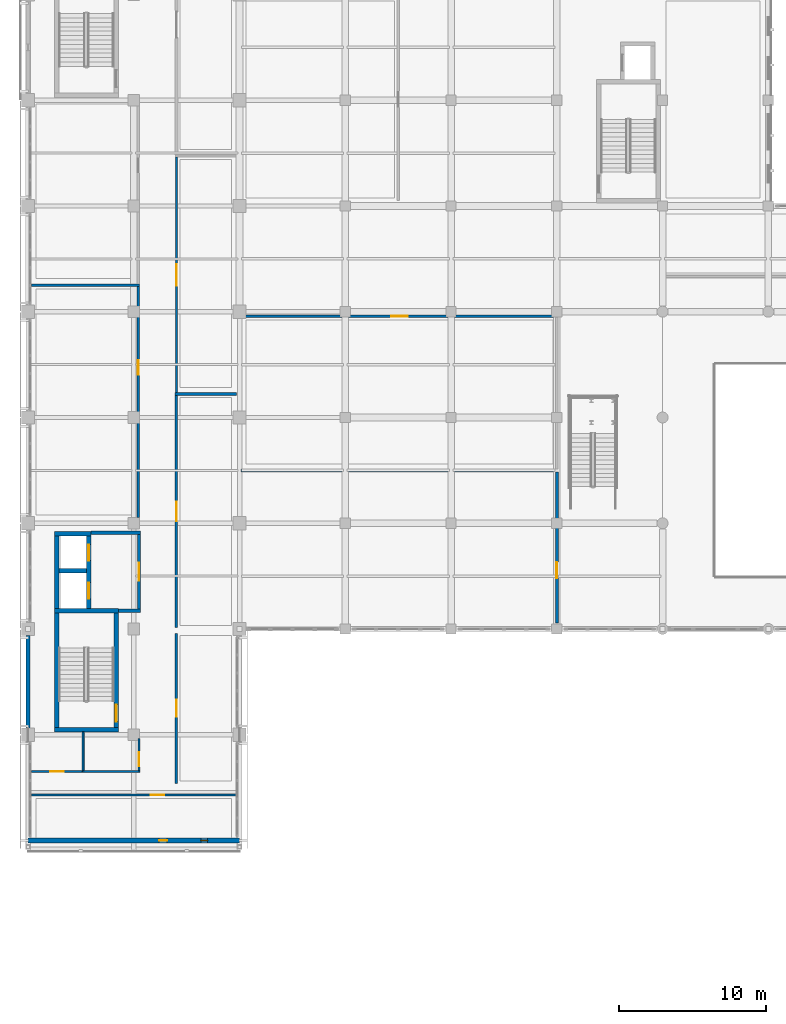
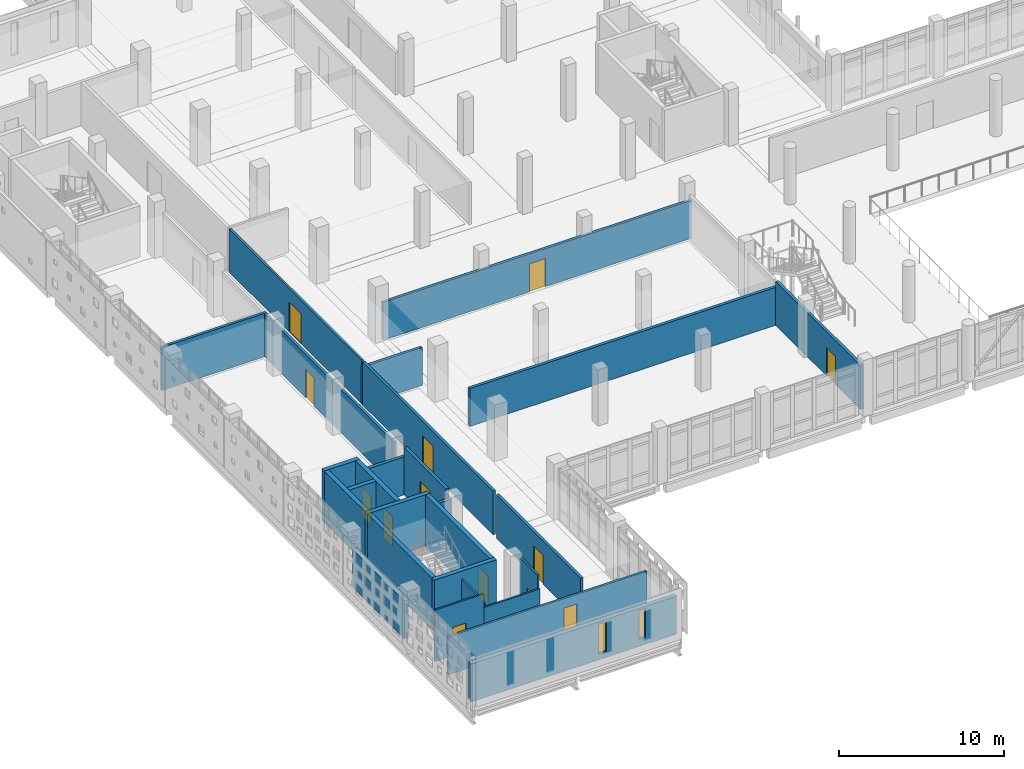
# One storey, part 32 of 57: 27 walls, 13 doors, 2 windows, 15 openings.
"""IFC4 building model written with IfcOpenShell, lengths in metres."""

from ifc_helpers import new_model, si_unit, direction, frame, frame_2d, origin, place, context, subcontext, project, spatial, rectangle, extrude, material, layer, layer_set, type_object, element, fill, save


model = new_model("IFC4")

# Units and contexts
model_context = context("Model", 3, precision=1e-05, world=origin(), true_north=direction((0.0, 1.0)))
body_context = subcontext(model_context, "Body", "Model", "MODEL_VIEW")
ifc_project = project(units=[si_unit("LENGTHUNIT", "METRE"), si_unit("AREAUNIT", "SQUARE_METRE"), si_unit("VOLUMEUNIT", "CUBIC_METRE"), si_unit("PLANEANGLEUNIT", "RADIAN"), si_unit("MASSUNIT", "GRAM", prefix="KILO")], contexts=[model_context])

# Site, building, storey
site_placement = place(None, origin())
site = spatial("IfcSite", under=ifc_project, at=site_placement, CompositionType="ELEMENT")
building_placement = place(site_placement, origin())
building = spatial("IfcBuilding", under=site, at=building_placement, Name="Valkovuoma Quantum and Materials Research Institute", CompositionType="ELEMENT")
storey_placement = place(building_placement, frame((0.0, 0.0, 4.800048828125)))
storey = spatial("IfcBuildingStorey", under=building, at=storey_placement, Name="L01", CompositionType="ELEMENT", Elevation=4.800048828125)

# Walls
ifc_material_1 = material(Name="Concrete C40/50", Category="concrete")
ifc_layer_1 = layer(ifc_material_1, 0.300048828125)
ifc_layer_set_1 = layer_set([ifc_layer_1], Name="Concrete C40/50")
wall_type_1 = type_object("IfcWallType", Name="Wall-W-COR300", PredefinedType="SHEAR", material=ifc_layer_set_1)
for number, where, z_axis, x_axis, name in (
    (1, (1.800048828125, 29.14990234375, 0.0), (0.0, 0.0, 1.0), (1.0, 0.0, 0.0), "L01 core wall 0023"),
    (2, (1.800048828125, 37.25, 0.0), (0.0, 0.0, 1.0), (1.0, 0.0, 0.0), "L01 core wall 0024"),
):
    element("IfcWall", number, at=place(storey_placement, frame(where, z_axis=z_axis, x_axis=x_axis)), inside=storey, type_object=wall_type_1, Name=name, PredefinedType="SHEAR", context=body_context, shape_type="SweptSolid", body=[
        extrude(rectangle(XDim=4.349853515625, YDim=0.300048828125, at=frame_2d((2.1748046875, 0.0))), origin(), (0.0, 0.0, 1.0), 3.81005859375),
    ])
wall_1_placement = place(storey_placement, frame((1.949951171875, 29.300048828125, 0.0), z_axis=(0.0, 0.0, 1.0), x_axis=(0.0, 1.0, 0.0)))
element("IfcWall", 3, at=wall_1_placement, inside=storey, type_object=wall_type_1, Name="L01 core wall 0025", PredefinedType="SHEAR", context=body_context, shape_type="SweptSolid", body=[
    extrude(rectangle(XDim=7.800048828125, YDim=0.300048828125, at=frame_2d((3.89990234375, 0.0))), origin(), (0.0, 0.0, 1.0), 3.81005859375),
])

# Wall, opening, door
wall_2_placement = place(storey_placement, frame((6.0, 29.300048828125, 0.0), z_axis=(0.0, 0.0, 1.0), x_axis=(0.0, 1.0, 0.0)))
wall_2 = element("IfcWall", 4, at=wall_2_placement, inside=storey, type_object=wall_type_1, Name="L01 core wall 0026", PredefinedType="SHEAR", context=body_context, shape_type="SweptSolid", body=[
    extrude(rectangle(XDim=7.800048828125, YDim=0.300048828125, at=frame_2d((3.89990234375, 0.0))), origin(), (0.0, 0.0, 1.0), 3.81005859375),
])
opening_1_placement = place(wall_2_placement, frame((0.39990234375, 0.0, 0.0)))
opening_1 = element("IfcOpeningElement", 5, at=opening_1_placement, cuts=wall_2, Name="Opening SD-005", PredefinedType="OPENING", context=body_context, shape_type="SweptSolid", body=[
    extrude(rectangle(XDim=1.14990234375, YDim=2.199951171875, at=frame_2d((0.574951171875, 1.10009765625))), frame((0.0, 0.16015625, 0.0), z_axis=(0.0, -1.0, 0.0), x_axis=(1.0, 0.0, 0.0)), (0.0, 0.0, 1.0), 0.320068359375),
])
ifc_material_2 = material(Name="Powder-coated steel and acoustic timber door assembly", Category="steel")
door_type_1 = type_object("IfcDoorType", Name="Door-DR-ST60", OperationType="NOTDEFINED", PredefinedType="DOOR", material=ifc_material_2)
door_1_placement = place(opening_1_placement, origin())
door_1 = element("IfcDoor", 6, at=door_1_placement, inside=storey, type_object=door_type_1, Name="L01 ST-1 fire door", OperationType="SINGLE_SWING_RIGHT", OverallHeight=2.199951171875, OverallWidth=1.14990234375, PredefinedType="DOOR", context=body_context, shape_type="SweptSolid", body=[
    extrude(rectangle(XDim=1.14990234375, YDim=2.199951171875, at=frame_2d((0.574951171875, 1.10009765625))), frame((0.0, 0.02490234375, 0.0), z_axis=(0.0, -1.0, 0.0), x_axis=(1.0, 0.0, 0.0)), (0.0, 0.0, 1.0), 0.050048828125),
])
fill(opening_1, door_1)

# Walls
wall_3_placement = place(storey_placement, frame((1.800048828125, 42.47998046875, 0.0), z_axis=(0.0, 0.0, 1.0), x_axis=(1.0, 0.0, 0.0)))
element("IfcWall", 7, at=wall_3_placement, inside=storey, type_object=wall_type_1, Name="L01 core wall 0027", PredefinedType="SHEAR", context=body_context, shape_type="SweptSolid", body=[
    extrude(rectangle(XDim=2.47998046875, YDim=0.300048828125, at=frame_2d((1.239990234375, 0.0))), origin(), (0.0, 0.0, 1.0), 3.81005859375),
])
wall_4_placement = place(storey_placement, frame((2.10009765625, 39.97509765625, 0.0), z_axis=(0.0, 0.0, 1.0), x_axis=(1.0, 0.0, 0.0)))
element("IfcWall", 8, at=wall_4_placement, inside=storey, type_object=wall_type_1, Name="L01 core wall 0028", PredefinedType="SHEAR", context=body_context, shape_type="SweptSolid", body=[
    extrude(rectangle(XDim=1.8798828125, YDim=0.300048828125, at=frame_2d((0.93994140625, 0.0))), origin(), (0.0, 0.0, 1.0), 3.81005859375),
])
wall_5_placement = place(storey_placement, frame((1.949951171875, 37.39990234375, 0.0), z_axis=(0.0, 0.0, 1.0), x_axis=(0.0, 1.0, 0.0)))
element("IfcWall", 9, at=wall_5_placement, inside=storey, type_object=wall_type_1, Name="L01 core wall 0029", PredefinedType="SHEAR", context=body_context, shape_type="SweptSolid", body=[
    extrude(rectangle(XDim=4.93017578125, YDim=0.300048828125, at=frame_2d((2.465087890625, 0.0))), origin(), (0.0, 0.0, 1.0), 3.81005859375),
])

# Wall, openings, doors
wall_6_placement = place(storey_placement, frame((4.1298828125, 37.39990234375, 0.0), z_axis=(0.0, 0.0, 1.0), x_axis=(0.0, 1.0, 0.0)))
wall_6 = element("IfcWall", 10, at=wall_6_placement, inside=storey, type_object=wall_type_1, Name="L01 core wall 0030", PredefinedType="SHEAR", context=body_context, shape_type="SweptSolid", body=[
    extrude(rectangle(XDim=4.93017578125, YDim=0.300048828125, at=frame_2d((2.465087890625, 0.0))), origin(), (0.0, 0.0, 1.0), 3.81005859375),
])
opening_2_placement = place(wall_6_placement, frame((0.64990234375, 0.0, 0.0)))
opening_2 = element("IfcOpeningElement", 11, at=opening_2_placement, cuts=wall_6, Name="Opening LD-005", PredefinedType="OPENING", context=body_context, shape_type="SweptSolid", body=[
    extrude(rectangle(XDim=1.10009765625, YDim=2.199951171875, at=frame_2d((0.550048828125, 1.10009765625))), frame((0.0, 0.16015625, 0.0), z_axis=(0.0, -1.0, 0.0), x_axis=(1.0, 0.0, 0.0)), (0.0, 0.0, 1.0), 0.320068359375),
])
opening_3_placement = place(wall_6_placement, frame((3.25, 0.0, 0.0)))
opening_3 = element("IfcOpeningElement", 12, at=opening_3_placement, cuts=wall_6, Name="Opening LD-006", PredefinedType="OPENING", context=body_context, shape_type="SweptSolid", body=[
    extrude(rectangle(XDim=1.10009765625, YDim=2.199951171875, at=frame_2d((0.550048828125, 1.10009765625))), frame((0.0, 0.16015625, 0.0), z_axis=(0.0, -1.0, 0.0), x_axis=(1.0, 0.0, 0.0)), (0.0, 0.0, 1.0), 0.320068359375),
])
ifc_material_3 = material(Name="Powder-coated steel and acoustic timber door assembly", Category="steel")
door_type_2 = type_object("IfcDoorType", Name="Door-DR-LD01", OperationType="NOTDEFINED", PredefinedType="DOOR", material=ifc_material_3)
door_2_placement = place(opening_2_placement, origin())
door_2 = element("IfcDoor", 13, at=door_2_placement, inside=storey, type_object=door_type_2, Name="L01 LIFT-FF1 sliding landing door", OperationType="SLIDING_TO_LEFT", OverallHeight=2.199951171875, OverallWidth=1.10009765625, PredefinedType="DOOR", context=body_context, shape_type="SweptSolid", body=[
    extrude(rectangle(XDim=1.10009765625, YDim=2.199951171875, at=frame_2d((0.550048828125, 1.10009765625))), frame((0.0, 0.02490234375, 0.0), z_axis=(0.0, -1.0, 0.0), x_axis=(1.0, 0.0, 0.0)), (0.0, 0.0, 1.0), 0.050048828125),
])
fill(opening_2, door_2)
door_3_placement = place(opening_3_placement, origin())
door_3 = element("IfcDoor", 14, at=door_3_placement, inside=storey, type_object=door_type_2, Name="L01 LIFT-P1 sliding landing door", OperationType="SLIDING_TO_LEFT", OverallHeight=2.199951171875, OverallWidth=1.10009765625, PredefinedType="DOOR", context=body_context, shape_type="SweptSolid", body=[
    extrude(rectangle(XDim=1.10009765625, YDim=2.199951171875, at=frame_2d((0.550048828125, 1.10009765625))), frame((0.0, 0.02490234375, 0.0), z_axis=(0.0, -1.0, 0.0), x_axis=(1.0, 0.0, 0.0)), (0.0, 0.0, 1.0), 0.050048828125),
])
fill(opening_3, door_3)

# Wall
ifc_material_4 = material(Name="Precast concrete C40/50", Category="concrete")
ifc_layer_2 = layer(ifc_material_4, 0.300048828125)
ifc_layer_set_2 = layer_set([ifc_layer_2], Name="Precast concrete C40/50")
wall_type_2 = type_object("IfcWallType", Name="Wall-W-EXT300", PredefinedType="SOLIDWALL", material=ifc_layer_set_2)
wall_7_placement = place(storey_placement, frame((0.0, 29.239990234375, 0.0), z_axis=(0.0, 0.0, 1.0), x_axis=(0.0, 1.0, 0.0)))
element("IfcWall", 15, at=wall_7_placement, inside=storey, type_object=wall_type_2, Name="L01 exterior wall 0034", PredefinedType="SOLIDWALL", context=body_context, shape_type="SweptSolid", body=[
    extrude(rectangle(XDim=6.320068359375, YDim=0.300048828125, at=frame_2d((3.16015625, 0.0))), origin(), (0.0, 0.0, 1.0), 2.81005859375),
])

# Wall, openings, windows
ifc_material_5 = material(Name="Precast concrete C40/50", Category="concrete")
ifc_layer_3 = layer(ifc_material_5, 0.320068359375)
ifc_layer_set_3 = layer_set([ifc_layer_3], Name="Precast concrete C40/50")
wall_type_3 = type_object("IfcWallType", Name="Wall-W-EXT320", PredefinedType="SOLIDWALL", material=ifc_layer_set_3)
wall_8_placement = place(storey_placement, frame((0.0, 21.60009765625, 0.0), z_axis=(0.0, 0.0, 1.0), x_axis=(1.0, 0.0, 0.0)))
wall_8 = element("IfcWall", 16, at=wall_8_placement, inside=storey, type_object=wall_type_3, Name="L01 exterior wall 0032", PredefinedType="SOLIDWALL", context=body_context, shape_type="SweptSolid", body=[
    extrude(rectangle(XDim=14.39990234375, YDim=0.320068359375, at=frame_2d((7.199951171875, 0.0))), origin(), (0.0, 0.0, 1.0), 2.81005859375),
])
opening_4_placement = place(wall_8_placement, frame((8.925048828125, 0.0, 0.449951171875)))
opening_4 = element("IfcOpeningElement", 17, at=opening_4_placement, cuts=wall_8, Name="Opening WN-SL03", PredefinedType="OPENING", context=body_context, shape_type="SweptSolid", body=[
    extrude(rectangle(XDim=0.550048828125, YDim=2.199951171875, at=frame_2d((0.27490234375, 1.10009765625))), frame((0.0, 0.169921875, 0.0), z_axis=(0.0, -1.0, 0.0), x_axis=(1.0, 0.0, 0.0)), (0.0, 0.0, 1.0), 0.340087890625),
])
opening_5_placement = place(wall_8_placement, frame((11.77490234375, 0.0, 0.550048828125)))
opening_5 = element("IfcOpeningElement", 18, at=opening_5_placement, cuts=wall_8, Name="Opening WN-SL04", PredefinedType="OPENING", context=body_context, shape_type="SweptSolid", body=[
    extrude(rectangle(XDim=0.449951171875, YDim=2.10009765625, at=frame_2d((0.22509765625, 1.050048828125))), frame((0.0, 0.169921875, 0.0), z_axis=(0.0, -1.0, 0.0), x_axis=(1.0, 0.0, 0.0)), (0.0, 0.0, 1.0), 0.340087890625),
])
ifc_material_6 = material(Name="Triple low-E argon glazing in thermally broken aluminium frame", Category="aluminium")
window_type_1 = type_object("IfcWindowType", Name="Win-WN-SL03", PartitioningType="SINGLE_PANEL", PredefinedType="WINDOW", material=ifc_material_6)
window_1_placement = place(opening_4_placement, origin())
window_1 = element("IfcWindow", 19, at=window_1_placement, inside=storey, type_object=window_type_1, Name="L01 window 0003", OverallHeight=2.199951171875, OverallWidth=0.550048828125, PartitioningType="SINGLE_PANEL", PredefinedType="WINDOW", context=body_context, shape_type="SweptSolid", body=[
    extrude(rectangle(XDim=0.550048828125, YDim=2.199951171875, at=frame_2d((0.27490234375, 1.10009765625))), frame((0.0, 0.030029296875, 0.0), z_axis=(0.0, -1.0, 0.0), x_axis=(1.0, 0.0, 0.0)), (0.0, 0.0, 1.0), 0.06005859375),
])
fill(opening_4, window_1)
ifc_material_7 = material(Name="Triple low-E argon glazing in thermally broken aluminium frame", Category="aluminium")
window_type_2 = type_object("IfcWindowType", Name="Win-WN-SL04", PartitioningType="SINGLE_PANEL", PredefinedType="WINDOW", material=ifc_material_7)
window_2_placement = place(opening_5_placement, origin())
window_2 = element("IfcWindow", 20, at=window_2_placement, inside=storey, type_object=window_type_2, Name="L01 window 0004", OverallHeight=2.10009765625, OverallWidth=0.449951171875, PartitioningType="SINGLE_PANEL", PredefinedType="WINDOW", context=body_context, shape_type="SweptSolid", body=[
    extrude(rectangle(XDim=0.449951171875, YDim=2.10009765625, at=frame_2d((0.22509765625, 1.050048828125))), frame((0.0, 0.030029296875, 0.0), z_axis=(0.0, -1.0, 0.0), x_axis=(1.0, 0.0, 0.0)), (0.0, 0.0, 1.0), 0.06005859375),
])
fill(opening_5, window_2)

# Walls
ifc_material_8 = material(Name="Concrete C40/50", Category="concrete")
ifc_layer_4 = layer(ifc_material_8, 0.219970703125)
ifc_layer_set_4 = layer_set([ifc_layer_4], Name="Concrete C40/50")
wall_type_4 = type_object("IfcWallType", Name="Wall-W-FFL220", PredefinedType="SOLIDWALL", material=ifc_layer_set_4)
wall_9_placement = place(storey_placement, frame((6.14990234375, 37.25, 0.0), z_axis=(0.0, 0.0, 1.0), x_axis=(1.0, 0.0, 0.0)))
element("IfcWall", 21, at=wall_9_placement, inside=storey, type_object=wall_type_4, Name="L01 core wall 0031", PredefinedType="SOLIDWALL", context=body_context, shape_type="SweptSolid", body=[
    extrude(rectangle(XDim=1.510009765625, YDim=0.219970703125, at=frame_2d((0.7548828125, 0.0))), origin(), (0.0, 0.0, 1.0), 2.81005859375),
])
wall_10_placement = place(storey_placement, frame((4.280029296875, 42.550048828125, 0.0), z_axis=(0.0, 0.0, 1.0), x_axis=(1.0, 0.0, 0.0)))
element("IfcWall", 22, at=wall_10_placement, inside=storey, type_object=wall_type_4, Name="L01 core wall 0032", PredefinedType="SOLIDWALL", context=body_context, shape_type="SweptSolid", body=[
    extrude(rectangle(XDim=3.3798828125, YDim=0.219970703125, at=frame_2d((1.68994140625, 0.0))), origin(), (0.0, 0.0, 1.0), 2.81005859375),
])

# Wall, opening, door
wall_11_placement = place(storey_placement, frame((7.550048828125, 37.360107421875, 0.0), z_axis=(0.0, 0.0, 1.0), x_axis=(0.0, 1.0, 0.0)))
wall_11 = element("IfcWall", 23, at=wall_11_placement, inside=storey, type_object=wall_type_4, Name="L01 core wall 0033", PredefinedType="SOLIDWALL", context=body_context, shape_type="SweptSolid", body=[
    extrude(rectangle(XDim=5.079833984375, YDim=0.219970703125, at=frame_2d((2.5400390625, 0.0))), origin(), (0.0, 0.0, 1.0), 3.510009765625),
])
opening_6_placement = place(wall_11_placement, frame((1.93994140625, 0.0, 0.0)))
opening_6 = element("IfcOpeningElement", 24, at=opening_6_placement, cuts=wall_11, Name="Opening FD-006", PredefinedType="OPENING", context=body_context, shape_type="SweptSolid", body=[
    extrude(rectangle(XDim=1.199951171875, YDim=2.199951171875, at=frame_2d((0.60009765625, 1.10009765625))), frame((0.0, 0.1201171875, 0.0), z_axis=(0.0, -1.0, 0.0), x_axis=(1.0, 0.0, 0.0)), (0.0, 0.0, 1.0), 0.239990234375),
])
ifc_material_9 = material(Name="Powder-coated steel and acoustic timber door assembly", Category="steel")
door_type_3 = type_object("IfcDoorType", Name="Door-DR-FF60", OperationType="NOTDEFINED", PredefinedType="DOOR", material=ifc_material_9)
door_4_placement = place(opening_6_placement, origin())
door_4 = element("IfcDoor", 25, at=door_4_placement, inside=storey, type_object=door_type_3, Name="L01 firefighting lobby door", OperationType="SINGLE_SWING_RIGHT", OverallHeight=2.199951171875, OverallWidth=1.199951171875, PredefinedType="DOOR", context=body_context, shape_type="SweptSolid", body=[
    extrude(rectangle(XDim=1.199951171875, YDim=2.199951171875, at=frame_2d((0.60009765625, 1.10009765625))), frame((0.0, 0.02490234375, 0.0), z_axis=(0.0, -1.0, 0.0), x_axis=(1.0, 0.0, 0.0)), (0.0, 0.0, 1.0), 0.050048828125),
])
fill(opening_6, door_4)

# Walls
ifc_material_10 = material(Name="Service and WC partition", Category="masonry")
ifc_layer_5 = layer(ifc_material_10, 0.1201171875)
ifc_layer_set_5 = layer_set([ifc_layer_5], Name="Service and WC partition")
wall_type_5 = type_object("IfcWallType", Name="Wall-W-PRT120", PredefinedType="PARTITIONING", material=ifc_layer_set_5)
wall_12_placement = place(storey_placement, frame((3.68994140625, 26.300048828125, 0.0), z_axis=(0.0, 0.0, 1.0), x_axis=(1.0, 0.0, 0.0)))
element("IfcWall", 26, at=wall_12_placement, inside=storey, type_object=wall_type_5, Name="L01 partition 0057", PredefinedType="PARTITIONING", context=body_context, shape_type="SweptSolid", body=[
    extrude(rectangle(XDim=3.920166015625, YDim=0.1201171875, at=frame_2d((1.9599609375, 0.0))), origin(), (0.0, 0.0, 1.0), 2.81005859375),
])
wall_13_placement = place(storey_placement, frame((3.75, 26.360107421875, 0.0), z_axis=(0.0, 0.0, 1.0), x_axis=(0.0, 1.0, 0.0)))
element("IfcWall", 27, at=wall_13_placement, inside=storey, type_object=wall_type_5, Name="L01 partition 0058", PredefinedType="PARTITIONING", context=body_context, shape_type="SweptSolid", body=[
    extrude(rectangle(XDim=2.639892578125, YDim=0.1201171875, at=frame_2d((1.31982421875, 0.0))), origin(), (0.0, 0.0, 1.0), 3.2099609375),
])

# Wall, opening, door
wall_14_placement = place(storey_placement, frame((7.550048828125, 26.360107421875, 0.0), z_axis=(0.0, 0.0, 1.0), x_axis=(0.0, 1.0, 0.0)))
wall_14 = element("IfcWall", 28, at=wall_14_placement, inside=storey, type_object=wall_type_5, Name="L01 partition 0059", PredefinedType="PARTITIONING", context=body_context, shape_type="SweptSolid", body=[
    extrude(rectangle(XDim=2.179931640625, YDim=0.1201171875, at=frame_2d((1.08984375, 0.0))), origin(), (0.0, 0.0, 1.0), 3.81005859375),
])
opening_7_placement = place(wall_14_placement, frame((0.29296875, 0.0, 0.0)))
opening_7 = element("IfcOpeningElement", 29, at=opening_7_placement, cuts=wall_14, Name="Opening ID-0044", PredefinedType="OPENING", context=body_context, shape_type="SweptSolid", body=[
    extrude(rectangle(XDim=0.93994140625, YDim=2.10009765625, at=frame_2d((0.469970703125, 1.050048828125))), frame((0.0, 0.070068359375, 0.0), z_axis=(0.0, -1.0, 0.0), x_axis=(1.0, 0.0, 0.0)), (0.0, 0.0, 1.0), 0.14013671875),
])
ifc_material_11 = material(Name="Powder-coated steel and acoustic timber door assembly", Category="steel")
door_type_4 = type_object("IfcDoorType", Name="Door-DR-WC01", OperationType="NOTDEFINED", PredefinedType="DOOR", material=ifc_material_11)
door_5_placement = place(opening_7_placement, frame((0.93994140625, 0.0, 0.0), z_axis=(0.0, 0.0, 1.0), x_axis=(-1.0, 0.0, 0.0)))
door_5 = element("IfcDoor", 30, at=door_5_placement, inside=storey, type_object=door_type_4, Name="L01 room door 0044", OperationType="SINGLE_SWING_LEFT", OverallHeight=2.10009765625, OverallWidth=0.93994140625, PredefinedType="DOOR", context=body_context, shape_type="SweptSolid", body=[
    extrude(rectangle(XDim=0.93994140625, YDim=2.10009765625, at=frame_2d((0.469970703125, 1.050048828125))), frame((0.0, 0.02490234375, 0.0), z_axis=(0.0, -1.0, 0.0), x_axis=(1.0, 0.0, 0.0)), (0.0, 0.0, 1.0), 0.050048828125),
])
fill(opening_7, door_5)

wall_15_placement = place(storey_placement, frame((0.25, 26.300048828125, 0.0), z_axis=(0.0, 0.0, 1.0), x_axis=(1.0, 0.0, 0.0)))
wall_15 = element("IfcWall", 31, at=wall_15_placement, inside=storey, type_object=wall_type_5, Name="L01 partition 0060", PredefinedType="PARTITIONING", context=body_context, shape_type="SweptSolid", body=[
    extrude(rectangle(XDim=3.43994140625, YDim=0.1201171875, at=frame_2d((1.719970703125, 0.0))), origin(), (0.0, 0.0, 1.0), 3.81005859375),
])
opening_8_placement = place(wall_15_placement, frame((1.27001953125, 0.0, 0.0)))
opening_8 = element("IfcOpeningElement", 32, at=opening_8_placement, cuts=wall_15, Name="Opening ID-0045", PredefinedType="OPENING", context=body_context, shape_type="SweptSolid", body=[
    extrude(rectangle(XDim=0.89990234375, YDim=2.10009765625, at=frame_2d((0.449951171875, 1.050048828125))), frame((0.0, 0.070068359375, 0.0), z_axis=(0.0, -1.0, 0.0), x_axis=(1.0, 0.0, 0.0)), (0.0, 0.0, 1.0), 0.14013671875),
])
ifc_material_12 = material(Name="Powder-coated steel and acoustic timber door assembly", Category="steel")
door_type_5 = type_object("IfcDoorType", Name="Door-DR-WC02", OperationType="NOTDEFINED", PredefinedType="DOOR", material=ifc_material_12)
door_6_placement = place(opening_8_placement, origin())
door_6 = element("IfcDoor", 33, at=door_6_placement, inside=storey, type_object=door_type_5, Name="L01 room door 0045", OperationType="SINGLE_SWING_RIGHT", OverallHeight=2.10009765625, OverallWidth=0.89990234375, PredefinedType="DOOR", context=body_context, shape_type="SweptSolid", body=[
    extrude(rectangle(XDim=0.89990234375, YDim=2.10009765625, at=frame_2d((0.449951171875, 1.050048828125))), frame((0.0, 0.02490234375, 0.0), z_axis=(0.0, -1.0, 0.0), x_axis=(1.0, 0.0, 0.0)), (0.0, 0.0, 1.0), 0.050048828125),
])
fill(opening_8, door_6)

ifc_material_13 = material(Name="Acoustic write-up studio partition", Category="masonry")
ifc_layer_6 = layer(ifc_material_13, 0.14990234375)
ifc_layer_set_6 = layer_set([ifc_layer_6], Name="Acoustic write-up studio partition")
wall_type_6 = type_object("IfcWallType", Name="Wall-W-PRT150", PredefinedType="PARTITIONING", material=ifc_layer_set_6)
wall_16_placement = place(storey_placement, frame((0.25, 24.699951171875, 0.0), z_axis=(0.0, 0.0, 1.0), x_axis=(1.0, 0.0, 0.0)))
wall_16 = element("IfcWall", 34, at=wall_16_placement, inside=storey, type_object=wall_type_6, Name="L01 partition 0056", PredefinedType="PARTITIONING", context=body_context, shape_type="SweptSolid", body=[
    extrude(rectangle(XDim=13.89990234375, YDim=0.14990234375, at=frame_2d((6.949951171875, 0.0))), origin(), (0.0, 0.0, 1.0), 2.81005859375),
])
opening_9_placement = place(wall_16_placement, frame((8.090087890625, 0.0, 0.0)))
opening_9 = element("IfcOpeningElement", 35, at=opening_9_placement, cuts=wall_16, Name="Opening ID-0043", PredefinedType="OPENING", context=body_context, shape_type="SweptSolid", body=[
    extrude(rectangle(XDim=0.919921875, YDim=2.10009765625, at=frame_2d((0.4599609375, 1.050048828125))), frame((0.0, 0.0849609375, 0.0), z_axis=(0.0, -1.0, 0.0), x_axis=(1.0, 0.0, 0.0)), (0.0, 0.0, 1.0), 0.169921875),
])
ifc_material_14 = material(Name="Powder-coated steel and acoustic timber door assembly", Category="steel")
door_type_6 = type_object("IfcDoorType", Name="Door-DR-OF01", OperationType="NOTDEFINED", PredefinedType="DOOR", material=ifc_material_14)
door_7_placement = place(opening_9_placement, origin())
door_7 = element("IfcDoor", 36, at=door_7_placement, inside=storey, type_object=door_type_6, Name="L01 room door 0043", OperationType="SINGLE_SWING_RIGHT", OverallHeight=2.10009765625, OverallWidth=0.919921875, PredefinedType="DOOR", context=body_context, shape_type="SweptSolid", body=[
    extrude(rectangle(XDim=0.919921875, YDim=2.10009765625, at=frame_2d((0.4599609375, 1.050048828125))), frame((0.0, 0.02490234375, 0.0), z_axis=(0.0, -1.0, 0.0), x_axis=(1.0, 0.0, 0.0)), (0.0, 0.0, 1.0), 0.050048828125),
])
fill(opening_9, door_7)

wall_17_placement = place(storey_placement, frame((10.10009765625, 52.090087890625, 0.0), z_axis=(0.0, 0.0, 1.0), x_axis=(0.0, 1.0, 0.0)))
wall_17 = element("IfcWall", 37, at=wall_17_placement, inside=storey, type_object=wall_type_6, Name="L01 partition 0069", PredefinedType="PARTITIONING", context=body_context, shape_type="SweptSolid", body=[
    extrude(rectangle(XDim=16.034912109375, YDim=0.14990234375, at=frame_2d((8.017578125, 0.0))), origin(), (0.0, 0.0, 1.0), 3.2099609375),
])
opening_10_placement = place(wall_17_placement, frame((7.29248046875, 0.0, 0.0)))
opening_10 = element("IfcOpeningElement", 38, at=opening_10_placement, cuts=wall_17, Name="Opening ID-0051", PredefinedType="OPENING", context=body_context, shape_type="SweptSolid", body=[
    extrude(rectangle(XDim=1.449951171875, YDim=2.199951171875, at=frame_2d((0.72509765625, 1.10009765625))), frame((0.0, 0.0849609375, 0.0), z_axis=(0.0, -1.0, 0.0), x_axis=(1.0, 0.0, 0.0)), (0.0, 0.0, 1.0), 0.169921875),
])
ifc_material_15 = material(Name="Powder-coated steel and acoustic timber door assembly", Category="steel")
door_type_7 = type_object("IfcDoorType", Name="Door-DR-SM03", OperationType="NOTDEFINED", PredefinedType="DOOR", material=ifc_material_15)
door_8_placement = place(opening_10_placement, origin())
door_8 = element("IfcDoor", 39, at=door_8_placement, inside=storey, type_object=door_type_7, Name="L01 room door 0051", OperationType="SINGLE_SWING_RIGHT", OverallHeight=2.199951171875, OverallWidth=1.449951171875, PredefinedType="DOOR", context=body_context, shape_type="SweptSolid", body=[
    extrude(rectangle(XDim=1.449951171875, YDim=2.199951171875, at=frame_2d((0.72509765625, 1.10009765625))), frame((0.0, 0.02490234375, 0.0), z_axis=(0.0, -1.0, 0.0), x_axis=(1.0, 0.0, 0.0)), (0.0, 0.0, 1.0), 0.050048828125),
])
fill(opening_10, door_8)

# Wall
ifc_material_16 = material(Name="Laboratory fire-rated gypsum partition", Category="masonry")
ifc_layer_7 = layer(ifc_material_16, 0.179931640625)
ifc_layer_set_7 = layer_set([ifc_layer_7], Name="Laboratory fire-rated gypsum partition")
wall_type_7 = type_object("IfcWallType", Name="Wall-W-PRT180", PredefinedType="PARTITIONING", material=ifc_layer_set_7)
wall_18_placement = place(storey_placement, frame((0.25, 59.39990234375, 0.0), z_axis=(0.0, 0.0, 1.0), x_axis=(1.0, 0.0, 0.0)))
element("IfcWall", 40, at=wall_18_placement, inside=storey, type_object=wall_type_7, Name="L01 partition 0061", PredefinedType="PARTITIONING", context=body_context, shape_type="SweptSolid", body=[
    extrude(rectangle(XDim=7.340087890625, YDim=0.179931640625, at=frame_2d((3.669921875, 0.0))), origin(), (0.0, 0.0, 1.0), 3.2099609375),
])

# Wall, opening, door
wall_19_placement = place(storey_placement, frame((7.5, 43.590087890625, 0.0), z_axis=(0.0, 0.0, 1.0), x_axis=(0.0, 1.0, 0.0)))
wall_19 = element("IfcWall", 41, at=wall_19_placement, inside=storey, type_object=wall_type_7, Name="L01 partition 0062", PredefinedType="PARTITIONING", context=body_context, shape_type="SweptSolid", body=[
    extrude(rectangle(XDim=15.719970703125, YDim=0.179931640625, at=frame_2d((7.85986328125, 0.0))), origin(), (0.0, 0.0, 1.0), 3.2099609375),
])
opening_11_placement = place(wall_19_placement, frame((9.718017578125, 0.0, 0.0)))
opening_11 = element("IfcOpeningElement", 42, at=opening_11_placement, cuts=wall_19, Name="Opening ID-0046", PredefinedType="OPENING", context=body_context, shape_type="SweptSolid", body=[
    extrude(rectangle(XDim=1.0, YDim=2.10009765625, at=frame_2d((0.5, 1.050048828125))), frame((0.0, 0.10009765625, 0.0), z_axis=(0.0, -1.0, 0.0), x_axis=(1.0, 0.0, 0.0)), (0.0, 0.0, 1.0), 0.199951171875),
])
ifc_material_17 = material(Name="Powder-coated steel and acoustic timber door assembly", Category="steel")
door_type_8 = type_object("IfcDoorType", Name="Door-DR-OF04", OperationType="NOTDEFINED", PredefinedType="DOOR", material=ifc_material_17)
door_9_placement = place(opening_11_placement, origin())
door_9 = element("IfcDoor", 43, at=door_9_placement, inside=storey, type_object=door_type_8, Name="L01 room door 0046", OperationType="SINGLE_SWING_LEFT", OverallHeight=2.10009765625, OverallWidth=1.0, PredefinedType="DOOR", context=body_context, shape_type="SweptSolid", body=[
    extrude(rectangle(XDim=1.0, YDim=2.10009765625, at=frame_2d((0.5, 1.050048828125))), frame((0.0, 0.02490234375, 0.0), z_axis=(0.0, -1.0, 0.0), x_axis=(1.0, 0.0, 0.0)), (0.0, 0.0, 1.0), 0.050048828125),
])
fill(opening_11, door_9)

wall_20_placement = place(storey_placement, frame((10.10009765625, 25.489990234375, 0.0), z_axis=(0.0, 0.0, 1.0), x_axis=(0.0, 1.0, 0.0)))
wall_20 = element("IfcWall", 44, at=wall_20_placement, inside=storey, type_object=wall_type_7, Name="L01 partition 0065", PredefinedType="PARTITIONING", context=body_context, shape_type="SweptSolid", body=[
    extrude(rectangle(XDim=10.219970703125, YDim=0.179931640625, at=frame_2d((5.10986328125, 0.0))), origin(), (0.0, 0.0, 1.0), 3.2099609375),
])
opening_12_placement = place(wall_20_placement, frame((4.534912109375, 0.0, 0.0)))
opening_12 = element("IfcOpeningElement", 45, at=opening_12_placement, cuts=wall_20, Name="Opening ID-0049", PredefinedType="OPENING", context=body_context, shape_type="SweptSolid", body=[
    extrude(rectangle(XDim=1.14990234375, YDim=2.14990234375, at=frame_2d((0.574951171875, 1.074951171875))), frame((0.0, 0.10009765625, 0.0), z_axis=(0.0, -1.0, 0.0), x_axis=(1.0, 0.0, 0.0)), (0.0, 0.0, 1.0), 0.199951171875),
])
ifc_material_18 = material(Name="Powder-coated steel and acoustic timber door assembly", Category="steel")
door_type_9 = type_object("IfcDoorType", Name="Door-DR-SM01", OperationType="NOTDEFINED", PredefinedType="DOOR", material=ifc_material_18)
door_10_placement = place(opening_12_placement, origin())
door_10 = element("IfcDoor", 46, at=door_10_placement, inside=storey, type_object=door_type_9, Name="L01 room door 0049", OperationType="SINGLE_SWING_RIGHT", OverallHeight=2.14990234375, OverallWidth=1.14990234375, PredefinedType="DOOR", context=body_context, shape_type="SweptSolid", body=[
    extrude(rectangle(XDim=1.14990234375, YDim=2.14990234375, at=frame_2d((0.574951171875, 1.074951171875))), frame((0.0, 0.02490234375, 0.0), z_axis=(0.0, -1.0, 0.0), x_axis=(1.0, 0.0, 0.0)), (0.0, 0.0, 1.0), 0.050048828125),
])
fill(opening_12, door_10)

# Wall
wall_21_placement = place(storey_placement, frame((10.010009765625, 52.0, 0.0), z_axis=(0.0, 0.0, 1.0), x_axis=(1.0, 0.0, 0.0)))
element("IfcWall", 47, at=wall_21_placement, inside=storey, type_object=wall_type_7, Name="L01 partition 0066", PredefinedType="PARTITIONING", context=body_context, shape_type="SweptSolid", body=[
    extrude(rectangle(XDim=4.179931640625, YDim=0.179931640625, at=frame_2d((2.08984375, 0.0))), origin(), (0.0, 0.0, 1.0), 2.81005859375),
])

# Wall, opening, door
wall_22_placement = place(storey_placement, frame((10.10009765625, 36.090087890625, 0.0), z_axis=(0.0, 0.0, 1.0), x_axis=(0.0, 1.0, 0.0)))
wall_22 = element("IfcWall", 48, at=wall_22_placement, inside=storey, type_object=wall_type_7, Name="L01 partition 0067", PredefinedType="PARTITIONING", context=body_context, shape_type="SweptSolid", body=[
    extrude(rectangle(XDim=15.81982421875, YDim=0.179931640625, at=frame_2d((7.909912109375, 0.0))), origin(), (0.0, 0.0, 1.0), 3.2099609375),
])
opening_13_placement = place(wall_22_placement, frame((7.260009765625, 0.0, 0.0)))
opening_13 = element("IfcOpeningElement", 49, at=opening_13_placement, cuts=wall_22, Name="Opening ID-0050", PredefinedType="OPENING", context=body_context, shape_type="SweptSolid", body=[
    extrude(rectangle(XDim=1.300048828125, YDim=2.14990234375, at=frame_2d((0.64990234375, 1.074951171875))), frame((0.0, 0.10009765625, 0.0), z_axis=(0.0, -1.0, 0.0), x_axis=(1.0, 0.0, 0.0)), (0.0, 0.0, 1.0), 0.199951171875),
])
ifc_material_19 = material(Name="Powder-coated steel and acoustic timber door assembly", Category="steel")
door_type_10 = type_object("IfcDoorType", Name="Door-DR-SM02", OperationType="NOTDEFINED", PredefinedType="DOOR", material=ifc_material_19)
door_11_placement = place(opening_13_placement, origin())
door_11 = element("IfcDoor", 50, at=door_11_placement, inside=storey, type_object=door_type_10, Name="L01 room door 0050", OperationType="SINGLE_SWING_LEFT", OverallHeight=2.14990234375, OverallWidth=1.300048828125, PredefinedType="DOOR", context=body_context, shape_type="SweptSolid", body=[
    extrude(rectangle(XDim=1.300048828125, YDim=2.14990234375, at=frame_2d((0.64990234375, 1.074951171875))), frame((0.0, 0.02490234375, 0.0), z_axis=(0.0, -1.0, 0.0), x_axis=(1.0, 0.0, 0.0)), (0.0, 0.0, 1.0), 0.050048828125),
])
fill(opening_13, door_11)

wall_23_placement = place(storey_placement, frame((14.510009765625, 57.300048828125, 0.0), z_axis=(0.0, 0.0, 1.0), x_axis=(1.0, 0.0, 0.0)))
wall_23 = element("IfcWall", 51, at=wall_23_placement, inside=storey, type_object=wall_type_7, Name="L01 partition 0078", PredefinedType="PARTITIONING", context=body_context, shape_type="SweptSolid", body=[
    extrude(rectangle(XDim=21.580078125, YDim=0.179931640625, at=frame_2d((10.7900390625, 0.0))), origin(), (0.0, 0.0, 1.0), 2.81005859375),
])
opening_14_placement = place(wall_23_placement, frame((10.22509765625, 0.0, 0.0)))
opening_14 = element("IfcOpeningElement", 52, at=opening_14_placement, cuts=wall_23, Name="Opening ID-0057", PredefinedType="OPENING", context=body_context, shape_type="SweptSolid", body=[
    extrude(rectangle(XDim=1.1298828125, YDim=2.080078125, at=frame_2d((0.56494140625, 1.0400390625))), frame((0.0, 0.10009765625, 0.0), z_axis=(0.0, -1.0, 0.0), x_axis=(1.0, 0.0, 0.0)), (0.0, 0.0, 1.0), 0.199951171875),
])
ifc_material_20 = material(Name="Powder-coated steel and acoustic timber door assembly", Category="steel")
door_type_11 = type_object("IfcDoorType", Name="Door-DR-RM05", OperationType="NOTDEFINED", PredefinedType="DOOR", material=ifc_material_20)
door_12_placement = place(opening_14_placement, origin())
door_12 = element("IfcDoor", 53, at=door_12_placement, inside=storey, type_object=door_type_11, Name="L01 room door 0057", OperationType="SINGLE_SWING_RIGHT", OverallHeight=2.080078125, OverallWidth=1.1298828125, PredefinedType="DOOR", context=body_context, shape_type="SweptSolid", body=[
    extrude(rectangle(XDim=1.1298828125, YDim=2.080078125, at=frame_2d((0.56494140625, 1.0400390625))), frame((0.0, 0.02490234375, 0.0), z_axis=(0.0, -1.0, 0.0), x_axis=(1.0, 0.0, 0.0)), (0.0, 0.0, 1.0), 0.050048828125),
])
fill(opening_14, door_12)

# Wall
ifc_material_21 = material(Name="Acoustic double-stud gypsum and mineral wool partition", Category="masonry")
ifc_layer_8 = layer(ifc_material_21, 0.199951171875)
ifc_layer_set_8 = layer_set([ifc_layer_8], Name="Acoustic double-stud gypsum and mineral wool partition")
wall_type_8 = type_object("IfcWallType", Name="Wall-W-PRT200", PredefinedType="PARTITIONING", material=ifc_layer_set_8)
wall_24_placement = place(storey_placement, frame((14.5, 46.800048828125, 0.0), z_axis=(0.0, 0.0, 1.0), x_axis=(1.0, 0.0, 0.0)))
element("IfcWall", 54, at=wall_24_placement, inside=storey, type_object=wall_type_8, Name="L01 partition 0076", PredefinedType="PARTITIONING", context=body_context, shape_type="SweptSolid", body=[
    extrude(rectangle(XDim=21.60009765625, YDim=0.199951171875, at=frame_2d((10.800048828125, 0.0))), origin(), (0.0, 0.0, 1.0), 2.81005859375),
])

# Wall, opening, door
wall_25_placement = place(storey_placement, frame((36.0, 36.39990234375, 0.0), z_axis=(0.0, 0.0, 1.0), x_axis=(0.0, 1.0, 0.0)))
wall_25 = element("IfcWall", 55, at=wall_25_placement, inside=storey, type_object=wall_type_8, Name="L01 partition 0077", PredefinedType="PARTITIONING", context=body_context, shape_type="SweptSolid", body=[
    extrude(rectangle(XDim=10.300048828125, YDim=0.199951171875, at=frame_2d((5.14990234375, 0.0))), origin(), (0.0, 0.0, 1.0), 3.260009765625),
])
opening_15_placement = place(wall_25_placement, frame((3.06494140625, 0.0, 0.0)))
opening_15 = element("IfcOpeningElement", 56, at=opening_15_placement, cuts=wall_25, Name="Opening ID-0056", PredefinedType="OPENING", context=body_context, shape_type="SweptSolid", body=[
    extrude(rectangle(XDim=1.080078125, YDim=2.080078125, at=frame_2d((0.5400390625, 1.0400390625))), frame((0.0, 0.10986328125, 0.0), z_axis=(0.0, -1.0, 0.0), x_axis=(1.0, 0.0, 0.0)), (0.0, 0.0, 1.0), 0.219970703125),
])
ifc_material_22 = material(Name="Powder-coated steel and acoustic timber door assembly", Category="steel")
door_type_12 = type_object("IfcDoorType", Name="Door-DR-RM04", OperationType="NOTDEFINED", PredefinedType="DOOR", material=ifc_material_22)
door_13_placement = place(opening_15_placement, origin())
door_13 = element("IfcDoor", 57, at=door_13_placement, inside=storey, type_object=door_type_12, Name="L01 room door 0056", OperationType="SINGLE_SWING_LEFT", OverallHeight=2.080078125, OverallWidth=1.080078125, PredefinedType="DOOR", context=body_context, shape_type="SweptSolid", body=[
    extrude(rectangle(XDim=1.080078125, YDim=2.080078125, at=frame_2d((0.5400390625, 1.0400390625))), frame((0.0, 0.02490234375, 0.0), z_axis=(0.0, -1.0, 0.0), x_axis=(1.0, 0.0, 0.0)), (0.0, 0.0, 1.0), 0.050048828125),
])
fill(opening_15, door_13)

save(model, "model.ifc")
